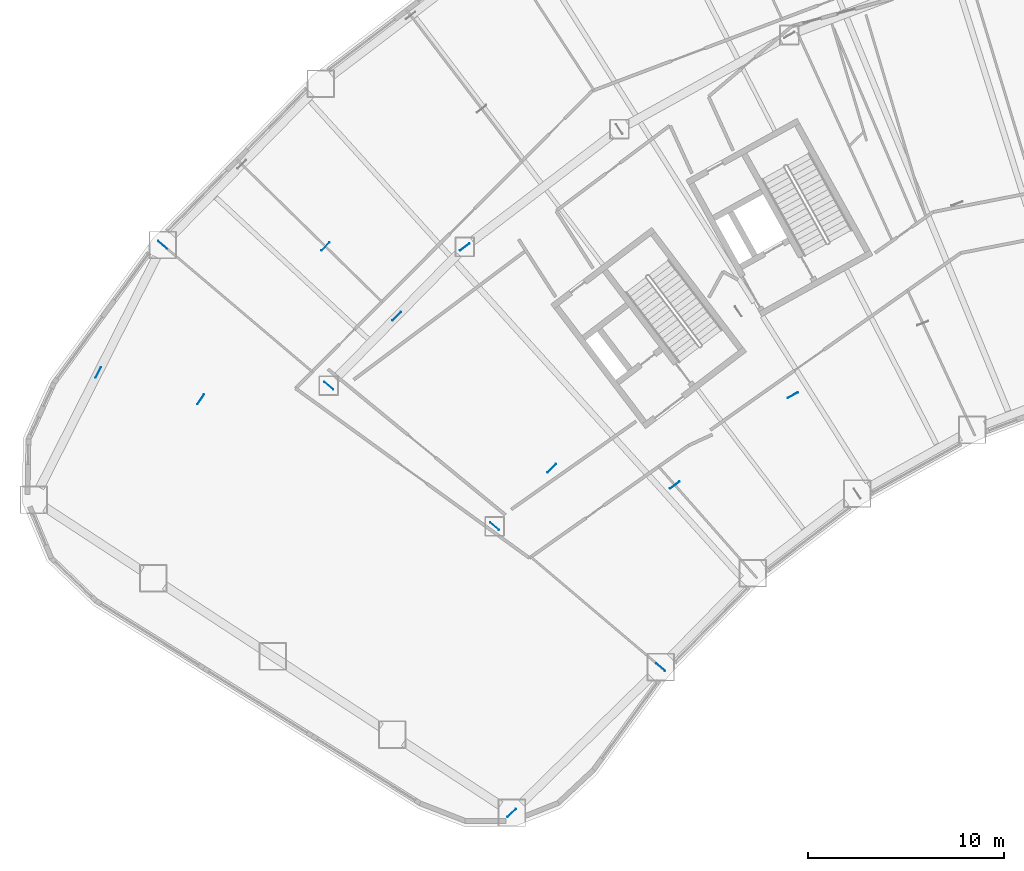
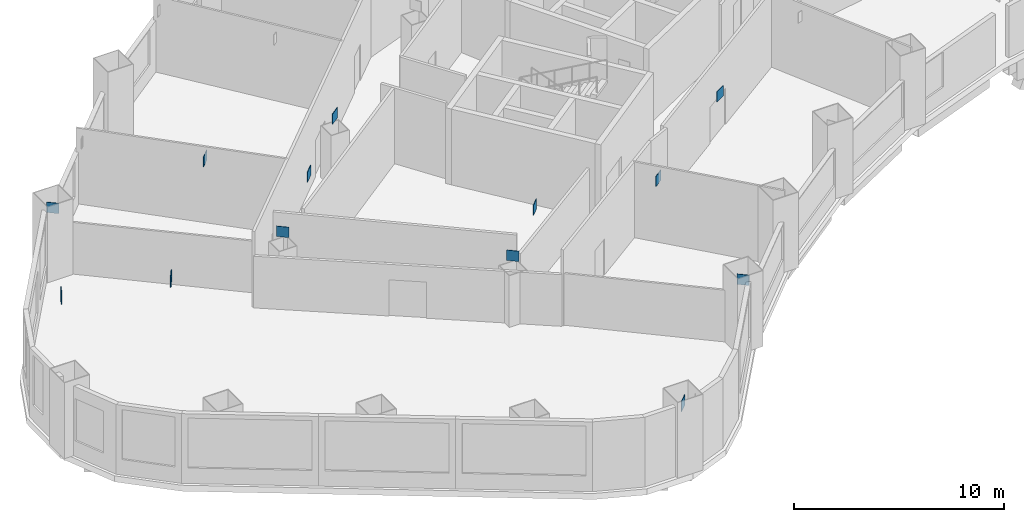
# One storey, part 15 of 24: 13 discrete accessories.
"""IFC4 building model written with IfcOpenShell, lengths in metres."""

from ifc_helpers import new_model, si_unit, direction, frame, origin, origin_2d, place, context, subcontext, project, spatial, rectangle, extrude, material, type_object, element, save


model = new_model("IFC4")

# Units and contexts
model_context = context("Model", 3, precision=1e-05, world=origin(), true_north=direction((0.0, 1.0)))
body_context = subcontext(model_context, "Body", "Model", "MODEL_VIEW")
ifc_project = project(units=[si_unit("LENGTHUNIT", "METRE"), si_unit("AREAUNIT", "SQUARE_METRE"), si_unit("VOLUMEUNIT", "CUBIC_METRE"), si_unit("PLANEANGLEUNIT", "RADIAN"), si_unit("MASSUNIT", "GRAM", prefix="KILO")], contexts=[model_context])

# Site, building, storey
site_placement = place(None, origin())
site = spatial("IfcSite", under=ifc_project, at=site_placement, CompositionType="ELEMENT")
building_placement = place(site_placement, origin())
building = spatial("IfcBuilding", under=site, at=building_placement, Name="Tuul Gate Civic Tower", CompositionType="ELEMENT")
storey_placement = place(building_placement, frame((0.0, 0.0, 21.89990234375)))
storey = spatial("IfcBuildingStorey", under=building, at=storey_placement, Name="Level 04", CompositionType="ELEMENT", Elevation=21.89990234375)

# Discrete accessories
ifc_material = material(Name="Steel S355", Category="steel")
discrete_accessory_type = type_object("IfcDiscreteAccessoryType", Name="Gusset plate", PredefinedType="BRACKET", material=ifc_material)
for number, where, z_axis, x_axis, name in (
    (1, (-35.491943359375, -29.916259765625, 3.39697265625), (0.0, 0.0, 1.0), (-0.762835003285, 0.646593193409, 0.0), "Gusset plate"),
    (2, (-52.471435546875, -15.52392578125, 3.396728515625), (0.0, 0.0, 1.0), (-0.762835003285, 0.646593193409, 0.0), "Gusset plate"),
    (3, (-43.981689453125, -22.719970703125, 3.396728515625), (0.0, 0.0, 1.0), (-0.762835003285, 0.646593193409, 0.0), "Gusset plate"),
    (4, (-64.261474609375, -14.847412109375, 3.397216796875), (0.0, 0.0, 1.0), (0.45166929929, 0.892185431443, 0.0), "Gusset plate"),
    (5, (-52.635009765625, -8.404541015625, 3.396728515625), (0.0, 0.0, 1.0), (0.700000236809, 0.714142610735, 0.0), "Gusset plate"),
    (6, (-48.99267578125, -11.97509765625, 3.396484375), (0.0, 0.0, 1.0), (-0.700011716191, -0.714131358502, 0.0), "Gusset plate"),
    (7, (-59.021484375, -16.223388671875, 3.396484375), (0.0, 0.0, 1.0), (0.551597524527, 0.834110406922, 0.0), "Gusset plate"),
    (8, (-41.06591796875, -19.745361328125, 3.396240234375), (0.0, 0.0, 1.0), (-0.700009397894, -0.714133630954, 0.0), "Gusset plate"),
    (9, (-60.9638671875, -8.325439453125, 3.39697265625), (0.0, 0.0, 1.0), (0.762835003285, -0.646593193409, 0.0), "Gusset plate"),
    (10, (-43.105712890625, -37.37646484375, 3.396728515625), (0.0, 0.0, 1.0), (0.714249430568, 0.699891242218, 0.0), "Gusset plate"),
    (11, (-45.516845703125, -8.428466796875, 3.396484375), (0.0, 0.0, 1.0), (0.7956241607, 0.605790553665, 0.0), "Gusset plate"),
    (12, (-28.730712890625, -16.008056640625, 3.397216796875), (0.0, 0.0, 1.0), (0.874598044765, 0.484848698146, 0.0), "Gusset plate"),
    (13, (-34.770263671875, -20.607666015625, 3.397216796875), (0.0, 0.0, 1.0), (0.795616135693, 0.605801093284, 0.0), "Gusset plate"),
):
    element("IfcDiscreteAccessory", number, at=place(storey_placement, frame(where, z_axis=z_axis, x_axis=x_axis)), inside=storey, type_object=discrete_accessory_type, Name=name, PredefinedType="BRACKET", context=body_context, shape_type="SweptSolid", body=[
        extrude(rectangle(XDim=0.60009765625, YDim=0.030029296875, at=origin_2d()), origin(), (0.0, 0.0, 1.0), 0.60009765625),
    ])

save(model, "model.ifc")
